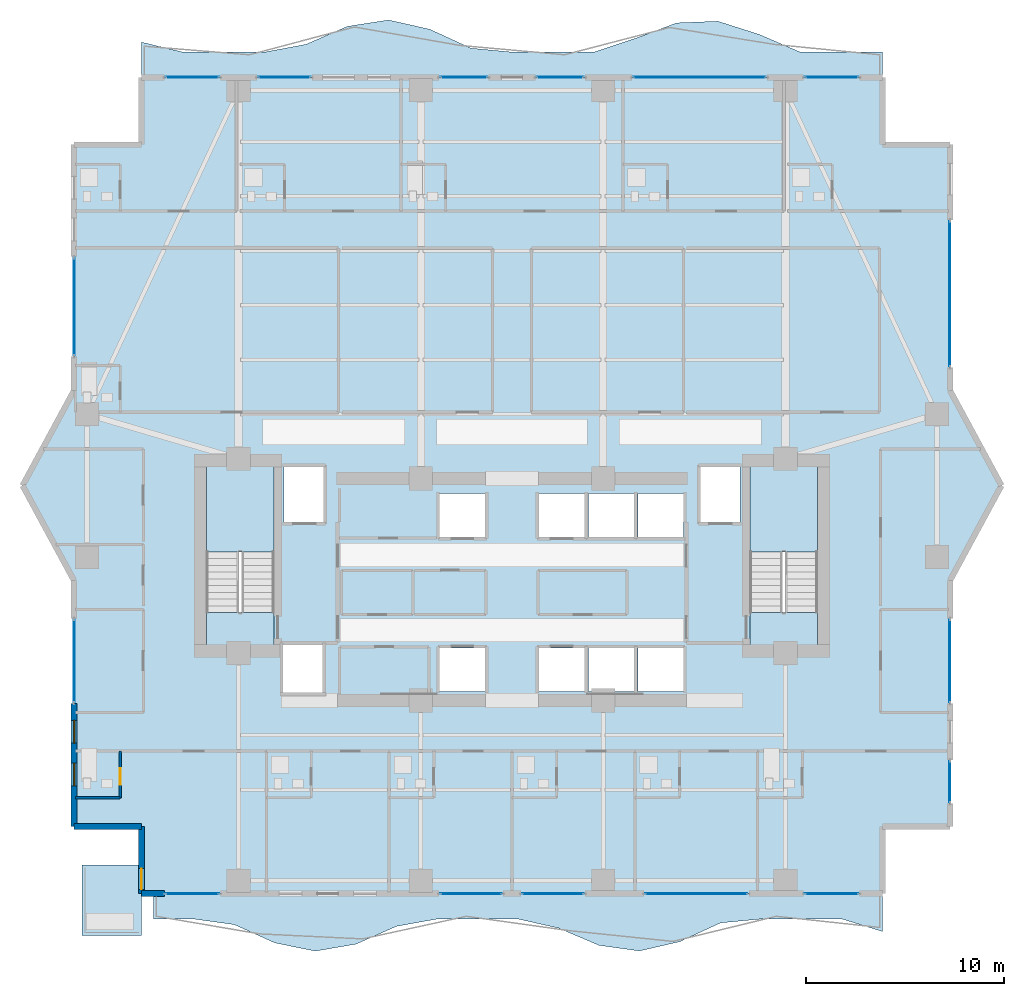
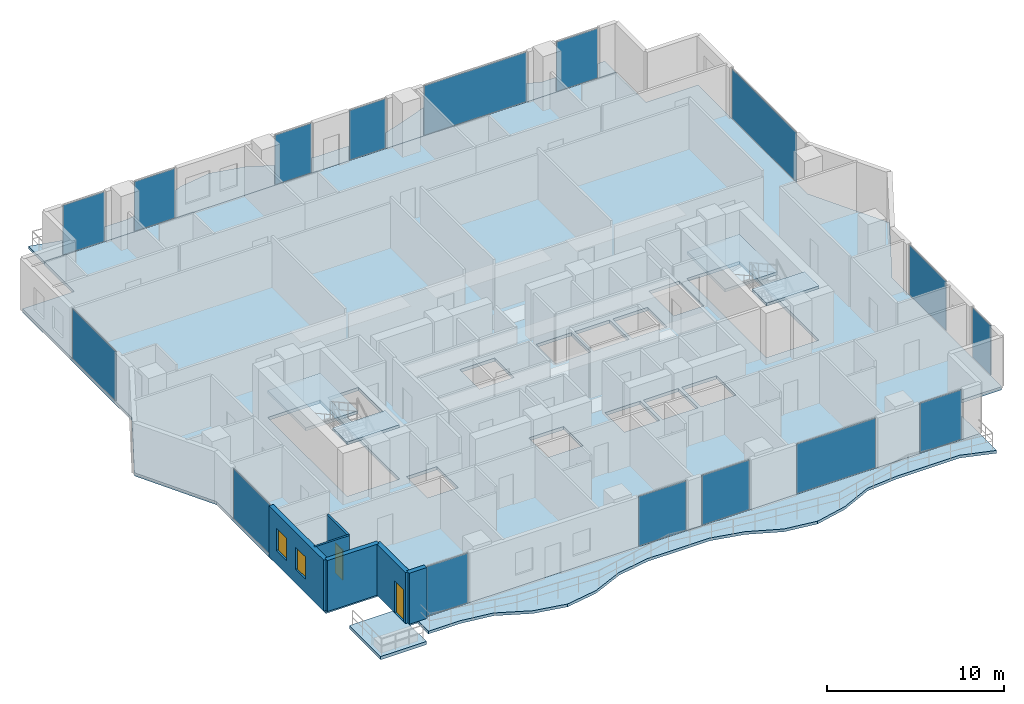
# One storey, part 23 of 32: 16 plates, 8 slabs, 6 walls, 2 doors, 2 windows, 4 openings, 18 elements without a shape of their own.
"""IFC4 building model written with IfcOpenShell, lengths in metres."""

from ifc_helpers import new_model, si_unit, direction, frame, frame_2d, origin, origin_2d, place, context, subcontext, project, spatial, polyline, rectangle, outline, extrude, material, layer, layer_set, type_object, element, fill, aggregate, save


model = new_model("IFC4")

# Units and contexts
model_context = context("Model", 3, precision=1e-05, world=origin(), true_north=direction((0.0, 1.0)))
body_context = subcontext(model_context, "Body", "Model", "MODEL_VIEW")
ifc_project = project(units=[si_unit("LENGTHUNIT", "METRE"), si_unit("AREAUNIT", "SQUARE_METRE"), si_unit("VOLUMEUNIT", "CUBIC_METRE"), si_unit("PLANEANGLEUNIT", "RADIAN"), si_unit("MASSUNIT", "GRAM", prefix="KILO")], contexts=[model_context])

# Site, building, storey
site_placement = place(None, origin())
site = spatial("IfcSite", under=ifc_project, at=site_placement, CompositionType="ELEMENT")
building_placement = place(site_placement, origin())
building = spatial("IfcBuilding", under=site, at=building_placement, Name="Zuhayl Quay Hotel", CompositionType="ELEMENT")
storey_placement = place(building_placement, frame((0.0, 0.0, 188.64990234375)))
storey = spatial("IfcBuildingStorey", under=building, at=storey_placement, Name="L47", CompositionType="ELEMENT", Elevation=188.64990234375)

# Curtain wall, plate
ifc_material_1 = material(Name="Anodised Aluminium 6063-T6", Category="aluminium")
ifc_layer_1 = layer(ifc_material_1, 0.175048828125, Name="Anodised Aluminium 6063-T6", Category="aluminium")
ifc_layer_set_1 = layer_set([ifc_layer_1], Name="Anodised Aluminium 6063-T6")
curtain_wall_type = type_object("IfcCurtainWallType", Name="CW_SYS_Z3", PredefinedType="USERDEFINED", material=ifc_layer_set_1)
curtain_wall_1_placement = place(storey_placement, origin())
curtain_wall_1 = element("IfcCurtainWall", 1, at=curtain_wall_1_placement, inside=storey, type_object=curtain_wall_type, Name="L47 Curtain Wall ENV_L47_E02_CW1", ObjectType="UNITISED CURTAIN WALL", PredefinedType="USERDEFINED")
ifc_material_2 = material(Name="Dark Ceramic-Fritted Solar Glass", Category="glass")
ifc_layer_2 = layer(ifc_material_2, 0.0400390625, Name="Dark Ceramic-Fritted Solar Glass", Category="glass")
ifc_layer_set_2 = layer_set([ifc_layer_2], Name="Dark Ceramic-Fritted Solar Glass")
plate_type = type_object("IfcPlateType", Name="PN_OP_VENT_Z3", PredefinedType="CURTAIN_PANEL", material=ifc_layer_set_2)
plate_1_placement = place(storey_placement, frame((-22.10009765625, 4.14990234375, 0.05517578125), z_axis=(0.0, 0.0, 1.0), x_axis=(0.0, 1.0, 0.0)))
plate_1 = element("IfcPlate", 2, at=plate_1_placement, type_object=plate_type, Name="CW-Z3 panel 1.1", PredefinedType="CURTAIN_PANEL", context=body_context, shape_type="SweptSolid", body=[
    extrude(rectangle(XDim=4.169921875, YDim=0.0400390625, at=origin_2d()), origin(), (0.0, 0.0, 1.0), 3.419921875),
])
aggregate(curtain_wall_1, [plate_1])

curtain_wall_2_placement = place(storey_placement, origin())
curtain_wall_2 = element("IfcCurtainWall", 3, at=curtain_wall_2_placement, inside=storey, type_object=curtain_wall_type, Name="L47 Curtain Wall ENV_L47_E05_CW1", ObjectType="UNITISED CURTAIN WALL", PredefinedType="USERDEFINED")
plate_2_placement = place(storey_placement, frame((-22.10009765625, 22.030029296875, 0.05517578125), z_axis=(0.0, 0.0, 1.0), x_axis=(0.0, 1.0, 0.0)))
plate_2 = element("IfcPlate", 4, at=plate_2_placement, type_object=plate_type, Name="CW-Z3 panel 1.1", PredefinedType="CURTAIN_PANEL", context=body_context, shape_type="SweptSolid", body=[
    extrude(rectangle(XDim=4.909912109375, YDim=0.0400390625, at=origin_2d()), origin(), (0.0, 0.0, 1.0), 3.419921875),
])
aggregate(curtain_wall_2, [plate_2])

curtain_wall_3_placement = place(storey_placement, origin())
curtain_wall_3 = element("IfcCurtainWall", 5, at=curtain_wall_3_placement, inside=storey, type_object=curtain_wall_type, Name="L47 Curtain Wall ENV_L47_N_CW1", ObjectType="UNITISED CURTAIN WALL", PredefinedType="USERDEFINED")
plate_3_placement = place(storey_placement, frame((-16.135009765625, 33.60009765625, 0.05517578125), z_axis=(0.0, 0.0, 1.0), x_axis=(1.0, 0.0, 0.0)))
plate_3 = element("IfcPlate", 6, at=plate_3_placement, type_object=plate_type, Name="CW-Z3 panel 1.1", PredefinedType="CURTAIN_PANEL", context=body_context, shape_type="SweptSolid", body=[
    extrude(rectangle(XDim=2.699951171875, YDim=0.0400390625, at=origin_2d()), origin(), (0.0, 0.0, 1.0), 3.419921875),
])
aggregate(curtain_wall_3, [plate_3])

curtain_wall_4_placement = place(storey_placement, origin())
curtain_wall_4 = element("IfcCurtainWall", 7, at=curtain_wall_4_placement, inside=storey, type_object=curtain_wall_type, Name="L47 Curtain Wall ENV_L47_N_CW2", ObjectType="UNITISED CURTAIN WALL", PredefinedType="USERDEFINED")
plate_4_placement = place(storey_placement, frame((-11.491943359375, 33.60009765625, 0.05517578125), z_axis=(0.0, 0.0, 1.0), x_axis=(1.0, 0.0, 0.0)))
plate_4 = element("IfcPlate", 8, at=plate_4_placement, type_object=plate_type, Name="CW-Z3 panel 1.1", PredefinedType="CURTAIN_PANEL", context=body_context, shape_type="SweptSolid", body=[
    extrude(rectangle(XDim=2.64599609375, YDim=0.0400390625, at=origin_2d()), origin(), (0.0, 0.0, 1.0), 3.419921875),
])
aggregate(curtain_wall_4, [plate_4])

curtain_wall_5_placement = place(storey_placement, origin())
curtain_wall_5 = element("IfcCurtainWall", 9, at=curtain_wall_5_placement, inside=storey, type_object=curtain_wall_type, Name="L47 Curtain Wall ENV_L47_N_CW3", ObjectType="UNITISED CURTAIN WALL", PredefinedType="USERDEFINED")
plate_5_placement = place(storey_placement, frame((-2.427490234375, 33.60009765625, 0.05517578125), z_axis=(0.0, 0.0, 1.0), x_axis=(1.0, 0.0, 0.0)))
plate_5 = element("IfcPlate", 10, at=plate_5_placement, type_object=plate_type, Name="CW-Z3 panel 1.1", PredefinedType="CURTAIN_PANEL", context=body_context, shape_type="SweptSolid", body=[
    extrude(rectangle(XDim=2.375, YDim=0.0400390625, at=origin_2d()), origin(), (0.0, 0.0, 1.0), 3.419921875),
])
aggregate(curtain_wall_5, [plate_5])

curtain_wall_6_placement = place(storey_placement, origin())
curtain_wall_6 = element("IfcCurtainWall", 11, at=curtain_wall_6_placement, inside=storey, type_object=curtain_wall_type, Name="L47 Curtain Wall ENV_L47_N_CW4", ObjectType="UNITISED CURTAIN WALL", PredefinedType="USERDEFINED")
plate_6_placement = place(storey_placement, frame((2.427490234375, 33.60009765625, 0.05517578125), z_axis=(0.0, 0.0, 1.0), x_axis=(1.0, 0.0, 0.0)))
plate_6 = element("IfcPlate", 12, at=plate_6_placement, type_object=plate_type, Name="CW-Z3 panel 1.1", PredefinedType="CURTAIN_PANEL", context=body_context, shape_type="SweptSolid", body=[
    extrude(rectangle(XDim=2.375, YDim=0.0400390625, at=origin_2d()), origin(), (0.0, 0.0, 1.0), 3.419921875),
])
aggregate(curtain_wall_6, [plate_6])

curtain_wall_7_placement = place(storey_placement, origin())
curtain_wall_7 = element("IfcCurtainWall", 13, at=curtain_wall_7_placement, inside=storey, type_object=curtain_wall_type, Name="L47 Curtain Wall ENV_L47_N_CW5", ObjectType="UNITISED CURTAIN WALL", PredefinedType="USERDEFINED")
plate_7_placement = place(storey_placement, frame((9.465087890625, 33.60009765625, 0.05517578125), z_axis=(0.0, 0.0, 1.0), x_axis=(1.0, 0.0, 0.0)))
plate_7 = element("IfcPlate", 14, at=plate_7_placement, type_object=plate_type, Name="CW-Z3 panel 1.1", PredefinedType="CURTAIN_PANEL", context=body_context, shape_type="SweptSolid", body=[
    extrude(rectangle(XDim=6.699951171875, YDim=0.0400390625, at=origin_2d()), origin(), (0.0, 0.0, 1.0), 3.419921875),
])
aggregate(curtain_wall_7, [plate_7])

curtain_wall_8_placement = place(storey_placement, origin())
curtain_wall_8 = element("IfcCurtainWall", 15, at=curtain_wall_8_placement, inside=storey, type_object=curtain_wall_type, Name="L47 Curtain Wall ENV_L47_N_CW6", ObjectType="UNITISED CURTAIN WALL", PredefinedType="USERDEFINED")
plate_8_placement = place(storey_placement, frame((16.135009765625, 33.60009765625, 0.05517578125), z_axis=(0.0, 0.0, 1.0), x_axis=(1.0, 0.0, 0.0)))
plate_8 = element("IfcPlate", 16, at=plate_8_placement, type_object=plate_type, Name="CW-Z3 panel 1.1", PredefinedType="CURTAIN_PANEL", context=body_context, shape_type="SweptSolid", body=[
    extrude(rectangle(XDim=2.699951171875, YDim=0.0400390625, at=origin_2d()), origin(), (0.0, 0.0, 1.0), 3.419921875),
])
aggregate(curtain_wall_8, [plate_8])

curtain_wall_9_placement = place(storey_placement, origin())
curtain_wall_9 = element("IfcCurtainWall", 17, at=curtain_wall_9_placement, inside=storey, type_object=curtain_wall_type, Name="L47 Curtain Wall ENV_L47_E11_CW1", ObjectType="UNITISED CURTAIN WALL", PredefinedType="USERDEFINED")
plate_9_placement = place(storey_placement, frame((22.10009765625, 22.675048828125, 0.05517578125), z_axis=(0.0, 0.0, 1.0), x_axis=(0.0, -1.0, 0.0)))
plate_9 = element("IfcPlate", 18, at=plate_9_placement, type_object=plate_type, Name="CW-Z3 panel 1.1", PredefinedType="CURTAIN_PANEL", context=body_context, shape_type="SweptSolid", body=[
    extrude(rectangle(XDim=7.320068359375, YDim=0.0400390625, at=origin_2d()), origin(), (0.0, 0.0, 1.0), 3.419921875),
])
aggregate(curtain_wall_9, [plate_9])

curtain_wall_10_placement = place(storey_placement, origin())
curtain_wall_10 = element("IfcCurtainWall", 19, at=curtain_wall_10_placement, inside=storey, type_object=curtain_wall_type, Name="L47 Curtain Wall ENV_L47_E14_CW1", ObjectType="UNITISED CURTAIN WALL", PredefinedType="USERDEFINED")
plate_10_placement = place(storey_placement, frame((22.10009765625, 4.14990234375, 0.05517578125), z_axis=(0.0, 0.0, 1.0), x_axis=(0.0, -1.0, 0.0)))
plate_10 = element("IfcPlate", 20, at=plate_10_placement, type_object=plate_type, Name="CW-Z3 panel 1.1", PredefinedType="CURTAIN_PANEL", context=body_context, shape_type="SweptSolid", body=[
    extrude(rectangle(XDim=4.169921875, YDim=0.0400390625, at=origin_2d()), origin(), (0.0, 0.0, 1.0), 3.419921875),
])
aggregate(curtain_wall_10, [plate_10])

curtain_wall_11_placement = place(storey_placement, origin())
curtain_wall_11 = element("IfcCurtainWall", 21, at=curtain_wall_11_placement, inside=storey, type_object=curtain_wall_type, Name="L47 Curtain Wall ENV_L47_E14_CW2", ObjectType="UNITISED CURTAIN WALL", PredefinedType="USERDEFINED")
plate_11_placement = place(storey_placement, frame((22.10009765625, -1.949951171875, 0.05517578125), z_axis=(0.0, 0.0, 1.0), x_axis=(0.0, -1.0, 0.0)))
plate_11 = element("IfcPlate", 22, at=plate_11_placement, type_object=plate_type, Name="CW-Z3 panel 1.1", PredefinedType="CURTAIN_PANEL", context=body_context, shape_type="SweptSolid", body=[
    extrude(rectangle(XDim=2.070068359375, YDim=0.0400390625, at=origin_2d()), origin(), (0.0, 0.0, 1.0), 3.419921875),
])
aggregate(curtain_wall_11, [plate_11])

curtain_wall_12_placement = place(storey_placement, origin())
curtain_wall_12 = element("IfcCurtainWall", 23, at=curtain_wall_12_placement, inside=storey, type_object=curtain_wall_type, Name="L47 Curtain Wall ENV_L47_S_CW1", ObjectType="UNITISED CURTAIN WALL", PredefinedType="USERDEFINED")
plate_12_placement = place(storey_placement, frame((16.135009765625, -7.60009765625, 0.05517578125), z_axis=(0.0, 0.0, 1.0), x_axis=(-1.0, 0.0, 0.0)))
plate_12 = element("IfcPlate", 24, at=plate_12_placement, type_object=plate_type, Name="CW-Z3 panel 1.1", PredefinedType="CURTAIN_PANEL", context=body_context, shape_type="SweptSolid", body=[
    extrude(rectangle(XDim=2.699951171875, YDim=0.0400390625, at=origin_2d()), origin(), (0.0, 0.0, 1.0), 3.419921875),
])
aggregate(curtain_wall_12, [plate_12])

curtain_wall_13_placement = place(storey_placement, origin())
curtain_wall_13 = element("IfcCurtainWall", 25, at=curtain_wall_13_placement, inside=storey, type_object=curtain_wall_type, Name="L47 Curtain Wall ENV_L47_S_CW2", ObjectType="UNITISED CURTAIN WALL", PredefinedType="USERDEFINED")
plate_13_placement = place(storey_placement, frame((9.300048828125, -7.60009765625, 0.05517578125), z_axis=(0.0, 0.0, 1.0), x_axis=(-1.0, 0.0, 0.0)))
plate_13 = element("IfcPlate", 26, at=plate_13_placement, type_object=plate_type, Name="CW-Z3 panel 1.1", PredefinedType="CURTAIN_PANEL", context=body_context, shape_type="SweptSolid", body=[
    extrude(rectangle(XDim=5.169921875, YDim=0.0400390625, at=origin_2d()), origin(), (0.0, 0.0, 1.0), 3.419921875),
])
aggregate(curtain_wall_13, [plate_13])

curtain_wall_14_placement = place(storey_placement, origin())
curtain_wall_14 = element("IfcCurtainWall", 27, at=curtain_wall_14_placement, inside=storey, type_object=curtain_wall_type, Name="L47 Curtain Wall ENV_L47_S_CW3", ObjectType="UNITISED CURTAIN WALL", PredefinedType="USERDEFINED")
plate_14_placement = place(storey_placement, frame((2.06494140625, -7.60009765625, 0.05517578125), z_axis=(0.0, 0.0, 1.0), x_axis=(-1.0, 0.0, 0.0)))
plate_14 = element("IfcPlate", 28, at=plate_14_placement, type_object=plate_type, Name="CW-Z3 panel 1.1", PredefinedType="CURTAIN_PANEL", context=body_context, shape_type="SweptSolid", body=[
    extrude(rectangle(XDim=3.10009765625, YDim=0.0400390625, at=origin_2d()), origin(), (0.0, 0.0, 1.0), 3.419921875),
])
aggregate(curtain_wall_14, [plate_14])

curtain_wall_15_placement = place(storey_placement, origin())
curtain_wall_15 = element("IfcCurtainWall", 29, at=curtain_wall_15_placement, inside=storey, type_object=curtain_wall_type, Name="L47 Curtain Wall ENV_L47_S_CW4", ObjectType="UNITISED CURTAIN WALL", PredefinedType="USERDEFINED")
plate_15_placement = place(storey_placement, frame((-2.06494140625, -7.60009765625, 0.05517578125), z_axis=(0.0, 0.0, 1.0), x_axis=(-1.0, 0.0, 0.0)))
plate_15 = element("IfcPlate", 30, at=plate_15_placement, type_object=plate_type, Name="CW-Z3 panel 1.1", PredefinedType="CURTAIN_PANEL", context=body_context, shape_type="SweptSolid", body=[
    extrude(rectangle(XDim=3.10009765625, YDim=0.0400390625, at=origin_2d()), origin(), (0.0, 0.0, 1.0), 3.419921875),
])
aggregate(curtain_wall_15, [plate_15])

curtain_wall_16_placement = place(storey_placement, origin())
curtain_wall_16 = element("IfcCurtainWall", 31, at=curtain_wall_16_placement, inside=storey, type_object=curtain_wall_type, Name="L47 Curtain Wall ENV_L47_S_CW5", ObjectType="UNITISED CURTAIN WALL", PredefinedType="USERDEFINED")
plate_16_placement = place(storey_placement, frame((-16.135009765625, -7.60009765625, 0.05517578125), z_axis=(0.0, 0.0, 1.0), x_axis=(-1.0, 0.0, 0.0)))
plate_16 = element("IfcPlate", 32, at=plate_16_placement, type_object=plate_type, Name="CW-Z3 panel 1.1", PredefinedType="CURTAIN_PANEL", context=body_context, shape_type="SweptSolid", body=[
    extrude(rectangle(XDim=2.699951171875, YDim=0.0400390625, at=origin_2d()), origin(), (0.0, 0.0, 1.0), 3.419921875),
])
aggregate(curtain_wall_16, [plate_16])

# Slabs
ifc_material_3 = material(Name="Concrete C45/55", Category="concrete")
ifc_layer_3 = layer(ifc_material_3, 0.195068359375, Name="Concrete C45/55", Category="concrete")
ifc_layer_set_3 = layer_set([ifc_layer_3], Name="Concrete C45/55")
slab_type_1 = type_object("IfcSlabType", Name="SL_BALCONY_195", PredefinedType="FLOOR", material=ifc_layer_set_3)
slab_1_placement = place(storey_placement, frame((0.0, 0.0, -0.19482421875)))
element("IfcSlab", 33, at=slab_1_placement, inside=storey, type_object=slab_type_1, Name="L47 Exterior Rippling Balcony Slab North", PredefinedType="FLOOR", context=body_context, shape_type="SweptSolid", body=[
    extrude(outline(polyline([(-18.699951171875, 33.60009765625), (18.699951171875, 33.60009765625), (18.699951171875, 34.8798828125), (16.622314453125, 34.8798828125), (14.54443359375, 34.8798828125), (12.466796875, 35.773193359375), (10.388916015625, 36.435302734375), (8.31103515625, 36.35107421875), (6.2333984375, 35.573486328125), (4.155517578125, 34.8798828125), (2.077880859375, 34.8798828125), (0.0, 34.8798828125), (-2.077880859375, 35.075927734375), (-4.155517578125, 36.032470703125), (-6.2333984375, 36.49609375), (-8.31103515625, 36.17529296875), (-10.388916015625, 35.271728515625), (-12.466796875, 34.8798828125), (-14.54443359375, 34.8798828125), (-16.622314453125, 34.8798828125), (-18.699951171875, 35.380615234375), (-18.699951171875, 33.60009765625)])), origin(), (0.0, 0.0, 1.0), 0.19482421875),
])
slab_2_placement = place(storey_placement, frame((0.0, 0.0, -0.19482421875)))
element("IfcSlab", 34, at=slab_2_placement, inside=storey, type_object=slab_type_1, Name="L47 Exterior Rippling Balcony Slab South", PredefinedType="FLOOR", context=body_context, shape_type="SweptSolid", body=[
    extrude(outline(polyline([(-18.10009765625, -8.8798828125), (-16.0556640625, -8.8798828125), (-14.010986328125, -9.162841796875), (-11.966796875, -10.08642578125), (-9.922119140625, -10.499267578125), (-7.877685546875, -10.149169921875), (-5.833251953125, -9.25), (-3.788818359375, -8.8798828125), (-1.744384765625, -8.8798828125), (0.300048828125, -8.8798828125), (2.344482421875, -9.337158203125), (4.388916015625, -10.20751953125), (6.433349609375, -10.4931640625), (8.477783203125, -10.01953125), (10.522216796875, -9.075927734375), (12.566650390625, -8.8798828125), (14.611083984375, -8.8798828125), (16.655517578125, -8.8798828125), (18.699951171875, -9.510009765625), (18.699951171875, -7.60009765625), (-18.10009765625, -7.60009765625), (-18.10009765625, -8.8798828125)])), origin(), (0.0, 0.0, 1.0), 0.19482421875),
])
ifc_layer_4 = layer(ifc_material_3, 0.219970703125, Name="Concrete C45/55", Category="concrete")
ifc_layer_set_4 = layer_set([ifc_layer_4], Name="Concrete C45/55")
slab_type_2 = type_object("IfcSlabType", Name="SL_FLOOR_220", PredefinedType="FLOOR", material=ifc_layer_set_4)
slab_3_placement = place(storey_placement, frame((0.0, 0.0, -0.219970703125)))
element("IfcSlab", 35, at=slab_3_placement, inside=storey, type_object=slab_type_2, Name="L47 Structural Floor Slab", PredefinedType="FLOOR", context=body_context, shape_type="SweptSolid", body=[
    extrude(outline(polyline([(-18.699951171875, -7.60009765625), (18.699951171875, -7.60009765625), (18.699951171875, -4.199951171875), (22.10009765625, -4.199951171875), (22.10009765625, 8.199951171875), (24.699951171875, 13.0), (22.10009765625, 17.800048828125), (22.10009765625, 30.199951171875), (18.699951171875, 30.199951171875), (18.699951171875, 33.60009765625), (-18.699951171875, 33.60009765625), (-18.699951171875, 30.199951171875), (-22.10009765625, 30.199951171875), (-22.10009765625, 17.800048828125), (-24.699951171875, 13.0), (-22.10009765625, 8.199951171875), (-22.10009765625, -4.199951171875), (-18.699951171875, -4.199951171875), (-18.699951171875, -7.60009765625)]), holes=[polyline([(-12.0, 4.949951171875), (-12.0, 13.949951171875), (-15.429931640625, 13.949951171875), (-15.429931640625, 4.949951171875), (-12.0, 4.949951171875)]), polyline([(15.429931640625, 4.949951171875), (15.429931640625, 13.949951171875), (12.0, 13.949951171875), (12.0, 4.949951171875), (15.429931640625, 4.949951171875)]), polyline([(-11.5, 11.14990234375), (-9.5, 11.14990234375), (-9.5, 13.949951171875), (-11.5, 13.949951171875), (-11.5, 11.14990234375)]), polyline([(9.5, 11.14990234375), (11.5, 11.14990234375), (11.5, 13.949951171875), (9.5, 13.949951171875), (9.5, 11.14990234375)]), polyline([(-3.64990234375, 2.60009765625), (-1.35009765625, 2.60009765625), (-1.35009765625, 4.800048828125), (-3.64990234375, 4.800048828125), (-3.64990234375, 2.60009765625)]), polyline([(1.35009765625, 2.60009765625), (3.64990234375, 2.60009765625), (3.64990234375, 4.800048828125), (1.35009765625, 4.800048828125), (1.35009765625, 2.60009765625)]), polyline([(-3.64990234375, 10.39990234375), (-1.35009765625, 10.39990234375), (-1.35009765625, 12.60009765625), (-3.64990234375, 12.60009765625), (-3.64990234375, 10.39990234375)]), polyline([(1.35009765625, 10.39990234375), (3.64990234375, 10.39990234375), (3.64990234375, 12.60009765625), (1.35009765625, 12.60009765625), (1.35009765625, 10.39990234375)]), polyline([(3.85009765625, 2.60009765625), (6.14990234375, 2.60009765625), (6.14990234375, 4.800048828125), (3.85009765625, 4.800048828125), (3.85009765625, 2.60009765625)]), polyline([(6.35009765625, 2.60009765625), (8.64990234375, 2.60009765625), (8.64990234375, 4.800048828125), (6.35009765625, 4.800048828125), (6.35009765625, 2.60009765625)]), polyline([(3.85009765625, 10.39990234375), (6.14990234375, 10.39990234375), (6.14990234375, 12.60009765625), (3.85009765625, 12.60009765625), (3.85009765625, 10.39990234375)]), polyline([(6.35009765625, 10.39990234375), (8.64990234375, 10.39990234375), (8.64990234375, 12.60009765625), (6.35009765625, 12.60009765625), (6.35009765625, 10.39990234375)]), polyline([(-11.550048828125, 2.550048828125), (-9.550048828125, 2.550048828125), (-9.550048828125, 4.949951171875), (-11.550048828125, 4.949951171875), (-11.550048828125, 2.550048828125)])]), origin(), (0.0, 0.0, 1.0), 0.219970703125),
])

# Stair, slabs
stair_type = type_object("IfcStairType", Name="ST_DOGLEG_TOWER", PredefinedType="HALF_TURN_STAIR", material=ifc_material_3)
stair_1_placement = place(storey_placement, origin())
stair_1 = element("IfcStair", 36, at=stair_1_placement, inside=storey, type_object=stair_type, Name="L47 Smokeproof Exit Stair ST1", PredefinedType="HALF_TURN_STAIR")
ifc_layer_5 = layer(ifc_material_3, 0.199951171875, Name="Concrete C45/55", Category="concrete")
ifc_layer_set_5 = layer_set([ifc_layer_5], Name="Concrete C45/55")
slab_type_3 = type_object("IfcSlabType", Name="SL_STAIR_LANDING_200", PredefinedType="LANDING", material=ifc_layer_set_5)
slab_4_placement = place(storey_placement, frame((0.0, 0.0, 1.675048828125)))
slab_4 = element("IfcSlab", 37, at=slab_4_placement, type_object=slab_type_3, Name="ST1 landing 1", PredefinedType="LANDING", context=body_context, shape_type="SweptSolid", body=[
    extrude(outline(polyline([(-12.0, 9.64990234375), (-12.0, 13.949951171875), (-15.429931640625, 13.949951171875), (-15.429931640625, 9.64990234375), (-12.0, 9.64990234375)])), origin(), (0.0, 0.0, 1.0), 0.199951171875),
])
slab_5_placement = place(storey_placement, frame((0.0, 0.0, 3.550048828125)))
slab_5 = element("IfcSlab", 38, at=slab_5_placement, type_object=slab_type_3, Name="ST1 landing 2", PredefinedType="LANDING", context=body_context, shape_type="SweptSolid", body=[
    extrude(outline(polyline([(-12.0, 4.949951171875), (-12.0, 6.590087890625), (-15.429931640625, 6.590087890625), (-15.429931640625, 4.949951171875), (-12.0, 4.949951171875)])), origin(), (0.0, 0.0, 1.0), 0.199951171875),
])
aggregate(stair_1, [slab_4, slab_5])

stair_2_placement = place(storey_placement, origin())
stair_2 = element("IfcStair", 39, at=stair_2_placement, inside=storey, type_object=stair_type, Name="L47 Smokeproof Exit Stair ST2", PredefinedType="HALF_TURN_STAIR")
slab_6_placement = place(storey_placement, frame((0.0, 0.0, 1.675048828125)))
slab_6 = element("IfcSlab", 40, at=slab_6_placement, type_object=slab_type_3, Name="ST2 landing 1", PredefinedType="LANDING", context=body_context, shape_type="SweptSolid", body=[
    extrude(outline(polyline([(15.429931640625, 9.64990234375), (15.429931640625, 13.949951171875), (12.0, 13.949951171875), (12.0, 9.64990234375), (15.429931640625, 9.64990234375)])), origin(), (0.0, 0.0, 1.0), 0.199951171875),
])
slab_7_placement = place(storey_placement, frame((0.0, 0.0, 3.550048828125)))
slab_7 = element("IfcSlab", 41, at=slab_7_placement, type_object=slab_type_3, Name="ST2 landing 2", PredefinedType="LANDING", context=body_context, shape_type="SweptSolid", body=[
    extrude(outline(polyline([(15.429931640625, 4.949951171875), (15.429931640625, 6.590087890625), (12.0, 6.590087890625), (12.0, 4.949951171875), (15.429931640625, 4.949951171875)])), origin(), (0.0, 0.0, 1.0), 0.199951171875),
])
aggregate(stair_2, [slab_6, slab_7])

# Slab
ifc_layer_6 = layer(ifc_material_3, 0.219970703125, Name="Concrete C45/55", Category="concrete")
ifc_layer_set_6 = layer_set([ifc_layer_6], Name="Concrete C45/55")
slab_type_4 = type_object("IfcSlabType", Name="SL_TERRACE_235", PredefinedType="FLOOR", material=ifc_layer_set_6)
slab_8_placement = place(storey_placement, frame((0.0, 0.0, -0.219970703125)))
element("IfcSlab", 42, at=slab_8_placement, inside=storey, type_object=slab_type_4, Name="L47 Exterior Sky-Terrace Slab L47_SPIRAL_SW", PredefinedType="FLOOR", context=body_context, shape_type="SweptSolid", body=[
    extrude(outline(polyline([(-21.699951171875, -9.699951171875), (-18.699951171875, -9.699951171875), (-18.699951171875, -6.14990234375), (-21.699951171875, -6.14990234375), (-21.699951171875, -9.699951171875)])), origin(), (0.0, 0.0, 1.0), 0.219970703125),
])

# Wall
ifc_material_4 = material(Name="Precast concrete C45/55", Category="concrete")
ifc_layer_7 = layer(ifc_material_4, 0.300048828125, Name="Precast concrete C45/55", Category="concrete")
ifc_layer_set_7 = layer_set([ifc_layer_7], Name="Precast concrete C45/55")
wall_type_1 = type_object("IfcWallType", Name="WL_EXT_300", PredefinedType="STANDARD", material=ifc_layer_set_7)
wall_1_placement = place(storey_placement, frame((-18.699951171875, -4.199951171875, 0.0), z_axis=(0.0, 0.0, 1.0), x_axis=(-1.0, 0.0, 0.0)))
element("IfcWall", 43, at=wall_1_placement, inside=storey, type_object=wall_type_1, Name="L47 Exterior Precast Wall ENV_L47_EW01", PredefinedType="STANDARD", context=body_context, shape_type="SweptSolid", body=[
    extrude(rectangle(XDim=3.400146484375, YDim=0.300048828125, at=frame_2d((1.7001953125, 0.0))), origin(), (0.0, 0.0, 1.0), 3.530029296875),
])

# Wall, openings, windows
wall_2_placement = place(storey_placement, frame((-22.10009765625, -4.199951171875, 0.0), z_axis=(0.0, 0.0, 1.0), x_axis=(0.0, 1.0, 0.0)))
wall_2 = element("IfcWall", 44, at=wall_2_placement, inside=storey, type_object=wall_type_1, Name="L47 Exterior Precast Wall ENV_L47_E02_EW1", PredefinedType="STANDARD", context=body_context, shape_type="SweptSolid", body=[
    extrude(rectangle(XDim=6.199951171875, YDim=0.300048828125, at=frame_2d((3.10009765625, 0.0))), origin(), (0.0, 0.0, 1.0), 3.530029296875),
])
opening_1_placement = place(wall_2_placement, frame((2.044921875, 0.0, 0.949951171875)))
opening_1 = element("IfcOpeningElement", 45, at=opening_1_placement, cuts=wall_2, Name="Opening W01N", PredefinedType="OPENING", context=body_context, shape_type="SweptSolid", body=[
    extrude(rectangle(XDim=1.14990234375, YDim=1.550048828125, at=frame_2d((0.574951171875, 0.77490234375))), frame((0.0, 0.159912109375, 0.0), z_axis=(0.0, -1.0, 0.0), x_axis=(1.0, 0.0, 0.0)), (0.0, 0.0, 1.0), 0.320068359375),
])
opening_2_placement = place(wall_2_placement, frame((4.199951171875, 0.0, 0.949951171875)))
opening_2 = element("IfcOpeningElement", 46, at=opening_2_placement, cuts=wall_2, Name="Opening W01N", PredefinedType="OPENING", context=body_context, shape_type="SweptSolid", body=[
    extrude(rectangle(XDim=1.14990234375, YDim=1.550048828125, at=frame_2d((0.574951171875, 0.77490234375))), frame((0.0, 0.159912109375, 0.0), z_axis=(0.0, -1.0, 0.0), x_axis=(1.0, 0.0, 0.0)), (0.0, 0.0, 1.0), 0.320068359375),
])
window_type = type_object("IfcWindowType", Name="WN_NOTCH_1350", PartitioningType="SINGLE_PANEL", PredefinedType="WINDOW", material=ifc_material_2)
window_1_placement = place(opening_1_placement, origin())
window_1 = element("IfcWindow", 47, at=window_1_placement, inside=storey, type_object=window_type, Name="L47 Operable Facade Window 1-1", OverallHeight=1.550048828125, OverallWidth=1.14990234375, PartitioningType="SINGLE_PANEL", PredefinedType="WINDOW", context=body_context, shape_type="SweptSolid", body=[
    extrude(rectangle(XDim=1.14990234375, YDim=1.550048828125, at=frame_2d((0.574951171875, 0.77490234375))), frame((0.0, 0.030029296875, 0.0), z_axis=(0.0, -1.0, 0.0), x_axis=(1.0, 0.0, 0.0)), (0.0, 0.0, 1.0), 0.06005859375),
])
fill(opening_1, window_1)
window_2_placement = place(opening_2_placement, origin())
window_2 = element("IfcWindow", 48, at=window_2_placement, inside=storey, type_object=window_type, Name="L47 Operable Facade Window 1-2", OverallHeight=1.550048828125, OverallWidth=1.14990234375, PartitioningType="SINGLE_PANEL", PredefinedType="WINDOW", context=body_context, shape_type="SweptSolid", body=[
    extrude(rectangle(XDim=1.14990234375, YDim=1.550048828125, at=frame_2d((0.574951171875, 0.77490234375))), frame((0.0, 0.030029296875, 0.0), z_axis=(0.0, -1.0, 0.0), x_axis=(1.0, 0.0, 0.0)), (0.0, 0.0, 1.0), 0.06005859375),
])
fill(opening_2, window_2)

# Wall
wall_3_placement = place(storey_placement, frame((-17.550048828125, -7.60009765625, 0.0), z_axis=(0.0, 0.0, 1.0), x_axis=(-1.0, 0.0, 0.0)))
element("IfcWall", 49, at=wall_3_placement, inside=storey, type_object=wall_type_1, Name="L47 Exterior Precast Wall ENV_L47_S_EW6", PredefinedType="STANDARD", context=body_context, shape_type="SweptSolid", body=[
    extrude(rectangle(XDim=1.14990234375, YDim=0.300048828125, at=frame_2d((0.574951171875, 0.0))), origin(), (0.0, 0.0, 1.0), 3.530029296875),
])

# Wall, opening, door
wall_4_placement = place(storey_placement, frame((-18.699951171875, -7.60009765625, 0.0), z_axis=(0.0, 0.0, 1.0), x_axis=(0.0, 1.0, 0.0)))
wall_4 = element("IfcWall", 50, at=wall_4_placement, inside=storey, type_object=wall_type_1, Name="L47 Exterior Precast Wall ENV_L47_SP_SW", PredefinedType="STANDARD", context=body_context, shape_type="SweptSolid", body=[
    extrude(rectangle(XDim=3.400146484375, YDim=0.300048828125, at=frame_2d((1.7001953125, 0.0))), origin(), (0.0, 0.0, 1.0), 3.530029296875),
])
opening_3_placement = place(wall_4_placement, frame((0.219970703125, 0.0, 0.0)))
opening_3 = element("IfcOpeningElement", 51, at=opening_3_placement, cuts=wall_4, Name="Opening DG1", PredefinedType="OPENING", context=body_context, shape_type="SweptSolid", body=[
    extrude(rectangle(XDim=1.050048828125, YDim=2.199951171875, at=frame_2d((0.52490234375, 1.10009765625))), frame((0.0, 0.159912109375, 0.0), z_axis=(0.0, -1.0, 0.0), x_axis=(1.0, 0.0, 0.0)), (0.0, 0.0, 1.0), 0.320068359375),
])
ifc_material_5 = material(Name="Anodised Aluminium and Dark Solar Glass", Category="aluminium")
door_type_1 = type_object("IfcDoorType", Name="DR_EXT_TERR_1050", OperationType="NOTDEFINED", PredefinedType="DOOR", material=ifc_material_5)
door_1_placement = place(opening_3_placement, origin())
door_1 = element("IfcDoor", 52, at=door_1_placement, inside=storey, type_object=door_type_1, Name="L47 Spiral Sky-Terrace SW Access Door", OperationType="SINGLE_SWING_LEFT", OverallHeight=2.199951171875, OverallWidth=1.050048828125, PredefinedType="DOOR", context=body_context, shape_type="SweptSolid", body=[
    extrude(rectangle(XDim=1.050048828125, YDim=2.199951171875, at=frame_2d((0.52490234375, 1.10009765625))), frame((0.0, 0.02490234375, 0.0), z_axis=(0.0, -1.0, 0.0), x_axis=(1.0, 0.0, 0.0)), (0.0, 0.0, 1.0), 0.050048828125),
])
fill(opening_3, door_1)

ifc_material_6 = material(Name="Moisture-Resistant Sanitarychase Gypsum")
ifc_layer_8 = layer(ifc_material_6, 0.135009765625, Name="Moisture-Resistant Sanitarychase Gypsum")
ifc_layer_set_8 = layer_set([ifc_layer_8], Name="Moisture-Resistant Sanitarychase Gypsum")
wall_type_2 = type_object("IfcWallType", Name="WL_PART_PLUMB_150", PredefinedType="PLUMBINGWALL", material=ifc_layer_set_8)
wall_5_placement = place(storey_placement, frame((-19.780029296875, -2.760009765625, 0.0), z_axis=(0.0, 0.0, 1.0), x_axis=(0.0, 1.0, 0.0)))
wall_5 = element("IfcWall", 53, at=wall_5_placement, inside=storey, type_object=wall_type_2, Name="L47 Partition IW_L47_SU01_BE", PredefinedType="PLUMBINGWALL", context=body_context, shape_type="SweptSolid", body=[
    extrude(rectangle(XDim=2.360107421875, YDim=0.135009765625, at=frame_2d((1.18017578125, 0.0))), origin(), (0.0, 0.0, 1.0), 3.530029296875),
])
opening_4_placement = place(wall_5_placement, frame((0.64990234375, 0.0, 0.0)))
opening_4 = element("IfcOpeningElement", 54, at=opening_4_placement, cuts=wall_5, Name="Opening D04", PredefinedType="OPENING", context=body_context, shape_type="SweptSolid", body=[
    extrude(rectangle(XDim=0.85009765625, YDim=2.10009765625, at=frame_2d((0.425048828125, 1.050048828125))), frame((0.0, 0.077392578125, 0.0), z_axis=(0.0, -1.0, 0.0), x_axis=(1.0, 0.0, 0.0)), (0.0, 0.0, 1.0), 0.155029296875),
])
ifc_material_7 = material(Name="Moisture-Resistant Walnut Veneer")
door_type_2 = type_object("IfcDoorType", Name="DR_BATH_850", OperationType="NOTDEFINED", PredefinedType="DOOR", material=ifc_material_7)
door_2_placement = place(opening_4_placement, origin())
door_2 = element("IfcDoor", 55, at=door_2_placement, inside=storey, type_object=door_type_2, Name="L47 Premier Twin Guest Room L47-01 En-Suite Door", OperationType="SINGLE_SWING_RIGHT", OverallHeight=2.10009765625, OverallWidth=0.85009765625, PredefinedType="DOOR", context=body_context, shape_type="SweptSolid", body=[
    extrude(rectangle(XDim=0.85009765625, YDim=2.10009765625, at=frame_2d((0.425048828125, 1.050048828125))), frame((0.0, 0.02490234375, 0.0), z_axis=(0.0, -1.0, 0.0), x_axis=(1.0, 0.0, 0.0)), (0.0, 0.0, 1.0), 0.050048828125),
])
fill(opening_4, door_2)

# Wall
wall_6_placement = place(storey_placement, frame((-22.0400390625, -2.760009765625, 0.0), z_axis=(0.0, 0.0, 1.0), x_axis=(1.0, 0.0, 0.0)))
element("IfcWall", 56, at=wall_6_placement, inside=storey, type_object=wall_type_2, Name="L47 Partition IW_L47_SU01_BS", PredefinedType="PLUMBINGWALL", context=body_context, shape_type="SweptSolid", body=[
    extrude(rectangle(XDim=2.260009765625, YDim=0.135009765625, at=frame_2d((1.1298828125, 0.0))), origin(), (0.0, 0.0, 1.0), 3.530029296875),
])

save(model, "model.ifc")
